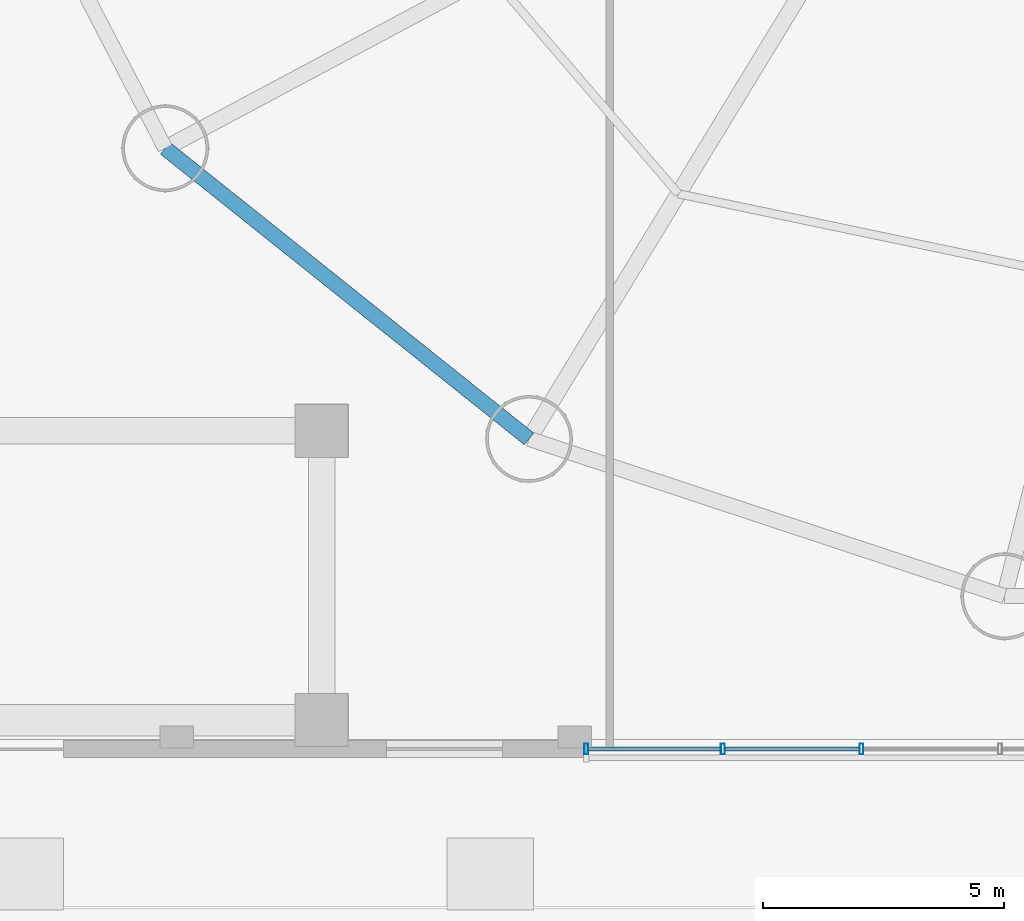
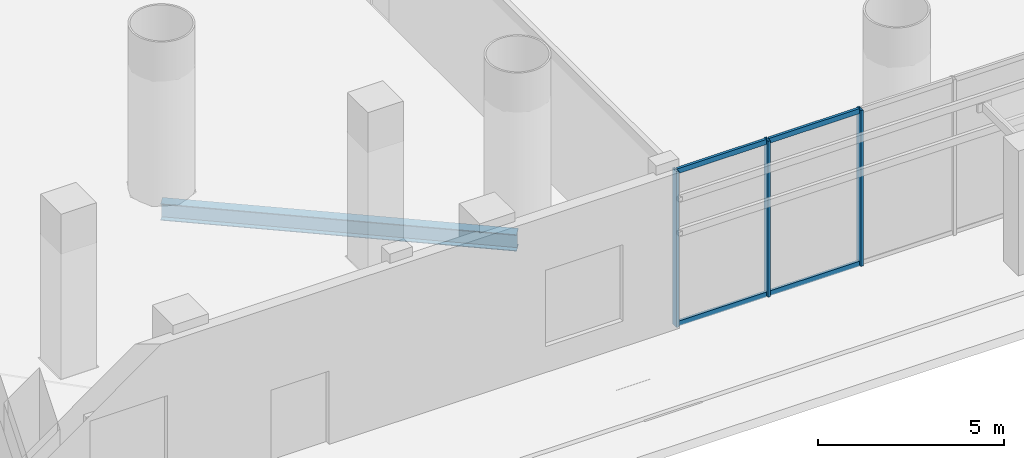
# One storey, part 2 of 25: 7 members, 1 beam, 1 element without a shape of its own.
"""IFC4 building model written with IfcOpenShell, lengths in metres."""

from ifc_helpers import new_model, si_unit, direction, frame, origin, origin_2d, place, context, subcontext, project, spatial, hollow_rectangle, i_section, extrude, source, transform, mapped, material, material_profile, profile_set, type_object, element, aggregate, save


model = new_model("IFC4")

# Units and contexts
model_context = context("Model", 3, precision=1e-05, world=origin(), true_north=direction((-0.2419218956, 0.970295726276)))
body_context = subcontext(model_context, "Body", "Model", "MODEL_VIEW")
ifc_project = project(units=[si_unit("LENGTHUNIT", "METRE"), si_unit("AREAUNIT", "SQUARE_METRE"), si_unit("VOLUMEUNIT", "CUBIC_METRE"), si_unit("PLANEANGLEUNIT", "RADIAN"), si_unit("MASSUNIT", "GRAM", prefix="KILO")], contexts=[model_context])

# Site, building, storey
site_placement = place(None, origin())
site = spatial("IfcSite", under=ifc_project, at=site_placement, CompositionType="ELEMENT")
building_placement = place(site_placement, origin())
building = spatial("IfcBuilding", under=site, at=building_placement, Name="Cobrevalo Terracotta Tower", CompositionType="ELEMENT")
storey_placement = place(building_placement, origin())
storey = spatial("IfcBuildingStorey", under=building, at=storey_placement, Name="L00", CompositionType="ELEMENT", Elevation=0.0)

# Beam
ifc_material_1 = material(Name="Steel S355", Category="steel")
ifc_material_profile_1 = material_profile(ifc_material_1, i_section(OverallWidth=0.31201171875, OverallDepth=0.54296875, WebThickness=0.0126953125, FlangeThickness=0.020263671875, at=origin_2d()), Name="W 530x150")
ifc_profile_set_1 = profile_set([ifc_material_profile_1], Name="Steel S355")
beam_type = type_object("IfcBeamType", Name="Structural Spandrel W 530x150 (Steel S355)", PredefinedType="SPANDREL", material=ifc_profile_set_1)
beam_placement = place(storey_placement, frame((15.25927734375, 14.660888671875, -0.69140625), z_axis=(0.781280479891, -0.62418011162, 0.0), x_axis=(0.62418011162, 0.781280479891, 0.0)))
element("IfcBeam", 1, at=beam_placement, inside=storey, type_object=beam_type, Name="L00 perimeter ring spandrel 10", PredefinedType="SPANDREL", context=body_context, shape_type="SweptSolid", body=[
    extrude(i_section(OverallWidth=0.31201171875, OverallDepth=0.54296875, WebThickness=0.0126953125, FlangeThickness=0.020263671875, at=origin_2d()), origin(), (0.0, 0.0, 1.0), 9.658447265625),
])

# Curtain wall, members
ifc_material_2 = material(Name="Anodized aluminium", Category="aluminium")
curtain_wall_type = type_object("IfcCurtainWallType", Name="Double-height storefront stick curtain wall CW-S1", PredefinedType="NOTDEFINED", material=ifc_material_2)
curtain_wall_placement = place(storey_placement, origin())
curtain_wall = element("IfcCurtainWall", 2, at=curtain_wall_placement, inside=storey, type_object=curtain_wall_type, Name="L00 curtain wall CW-L00-S-LOB1", PredefinedType="NOTDEFINED")
ifc_material_profile_2 = material_profile(ifc_material_2, hollow_rectangle(XDim=0.080078125, YDim=0.219970703125, WallThickness=0.0048828125, at=origin_2d()), Name="CWM 80x220")
ifc_profile_set_2 = profile_set([ifc_material_profile_2], Name="Anodized aluminium")
member_type_1 = type_object("IfcMemberType", Name="Storefront & atrium aluminium mullion 80x220", PredefinedType="MULLION", material=ifc_profile_set_2)
shared_shape_1 = source(origin(), body_context, "Body", "SweptSolid", [
    extrude(hollow_rectangle(XDim=0.080078125, YDim=0.219970703125, WallThickness=0.0048828125, at=origin_2d()), origin(), (0.0, 0.0, 1.0), 5.10009765625),
])
member_1_placement = place(storey_placement, frame((23.989990234375, 2.199951171875, 0.0), z_axis=(0.0, 0.0, 1.0), x_axis=(1.0, 0.0, 0.0)))
member_1 = element("IfcMember", 3, at=member_1_placement, type_object=member_type_1, Name="CW-L00-S-LOB1 vertical mullion 01", PredefinedType="MULLION", context=body_context, shape_type="MappedRepresentation", body=[
    mapped(shared_shape_1, transform((0.0, 0.0, 0.0), scale=1.0)),
])
member_2_placement = place(storey_placement, frame((26.824951171875, 2.199951171875, 0.0), z_axis=(0.0, 0.0, 1.0), x_axis=(1.0, 0.0, 0.0)))
member_2 = element("IfcMember", 4, at=member_2_placement, type_object=member_type_1, Name="CW-L00-S-LOB1 vertical mullion 02", PredefinedType="MULLION", context=body_context, shape_type="MappedRepresentation", body=[
    mapped(shared_shape_1, transform((0.0, 0.0, 0.0), scale=1.0)),
])
member_3_placement = place(storey_placement, frame((29.699951171875, 2.199951171875, 0.0), z_axis=(0.0, 0.0, 1.0), x_axis=(1.0, 0.0, 0.0)))
member_3 = element("IfcMember", 5, at=member_3_placement, type_object=member_type_1, Name="CW-L00-S-LOB1 vertical mullion 03", PredefinedType="MULLION", context=body_context, shape_type="MappedRepresentation", body=[
    mapped(shared_shape_1, transform((0.0, 0.0, 0.0), scale=1.0)),
])
ifc_material_profile_3 = material_profile(ifc_material_2, hollow_rectangle(XDim=0.080078125, YDim=0.1650390625, WallThickness=0.00439453125, at=origin_2d()), Name="CWT 80x165")
ifc_profile_set_3 = profile_set([ifc_material_profile_3], Name="Anodized aluminium")
member_type_2 = type_object("IfcMemberType", Name="Storefront & atrium aluminium transom 80x165", PredefinedType="USERDEFINED", material=ifc_profile_set_3)
shared_shape_2 = source(origin(), body_context, "Body", "SweptSolid", [
    extrude(hollow_rectangle(XDim=0.080078125, YDim=0.1650390625, WallThickness=0.00439453125, at=origin_2d()), origin(), (0.0, 0.0, 1.0), 2.7548828125),
])
member_4_placement = place(storey_placement, frame((24.030029296875, 2.199951171875, 0.050048828125), z_axis=(1.0, 0.0, 0.0), x_axis=(0.0, 1.0, 0.0)))
member_4 = element("IfcMember", 6, at=member_4_placement, type_object=member_type_2, Name="CW-L00-S-LOB1 transom B01-T1", ObjectType="TRANSOM", PredefinedType="USERDEFINED", context=body_context, shape_type="MappedRepresentation", body=[
    mapped(shared_shape_2, transform((0.0, 0.0, 0.0), scale=1.0)),
])
member_5_placement = place(storey_placement, frame((24.030029296875, 2.199951171875, 5.050048828125), z_axis=(1.0, 0.0, 0.0), x_axis=(0.0, 1.0, 0.0)))
member_5 = element("IfcMember", 7, at=member_5_placement, type_object=member_type_2, Name="CW-L00-S-LOB1 transom B01-T2", ObjectType="TRANSOM", PredefinedType="USERDEFINED", context=body_context, shape_type="MappedRepresentation", body=[
    mapped(shared_shape_2, transform((0.0, 0.0, 0.0), scale=1.0)),
])
shared_shape_3 = source(origin(), body_context, "Body", "SweptSolid", [
    extrude(hollow_rectangle(XDim=0.080078125, YDim=0.1650390625, WallThickness=0.00439453125, at=origin_2d()), origin(), (0.0, 0.0, 1.0), 2.794921875),
])
member_6_placement = place(storey_placement, frame((26.864990234375, 2.199951171875, 0.050048828125), z_axis=(1.0, 0.0, 0.0), x_axis=(0.0, 1.0, 0.0)))
member_6 = element("IfcMember", 8, at=member_6_placement, type_object=member_type_2, Name="CW-L00-S-LOB1 transom B02-T1", ObjectType="TRANSOM", PredefinedType="USERDEFINED", context=body_context, shape_type="MappedRepresentation", body=[
    mapped(shared_shape_3, transform((0.0, 0.0, 0.0), scale=1.0)),
])
member_7_placement = place(storey_placement, frame((26.864990234375, 2.199951171875, 5.050048828125), z_axis=(1.0, 0.0, 0.0), x_axis=(0.0, 1.0, 0.0)))
member_7 = element("IfcMember", 9, at=member_7_placement, type_object=member_type_2, Name="CW-L00-S-LOB1 transom B02-T2", ObjectType="TRANSOM", PredefinedType="USERDEFINED", context=body_context, shape_type="MappedRepresentation", body=[
    mapped(shared_shape_3, transform((0.0, 0.0, 0.0), scale=1.0)),
])
aggregate(curtain_wall, [member_1, member_2, member_3, member_4, member_5, member_6, member_7])

save(model, "model.ifc")
